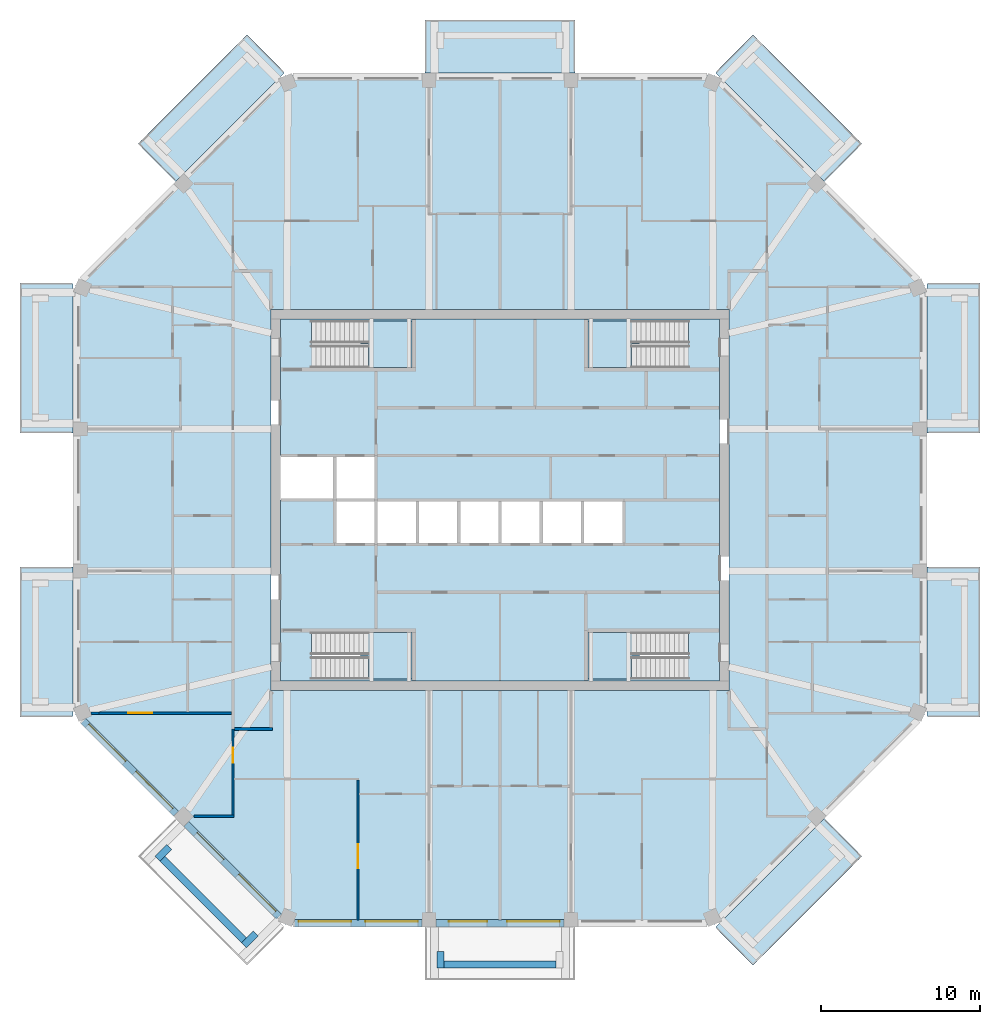
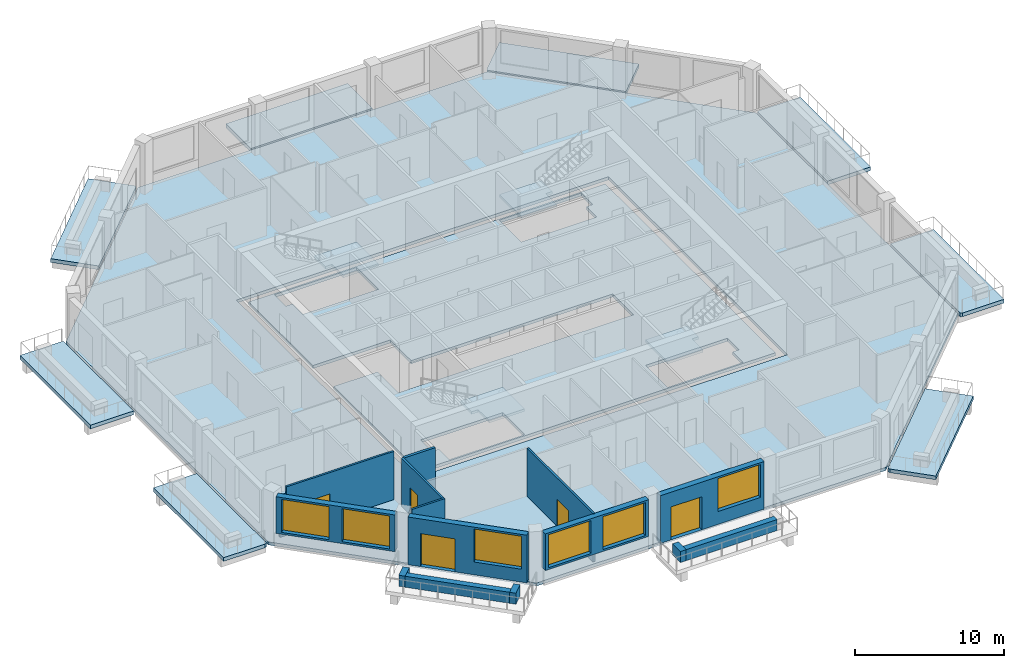
# One storey, part 2 of 12: 15 walls, 14 slabs, 6 windows, 5 doors, 11 openings, 4 elements without a shape of their own.
"""IFC4 building model written with IfcOpenShell, lengths in metres."""

from ifc_helpers import new_model, si_unit, direction, frame, frame_2d, origin, place, context, subcontext, project, spatial, polyline, rectangle, outline, extrude, material, layer, layer_set, type_object, element, fill, aggregate, save


model = new_model("IFC4")

# Units and contexts
model_context = context("Model", 3, precision=1e-05, world=origin(), true_north=direction((0.0, 1.0)))
body_context = subcontext(model_context, "Body", "Model", "MODEL_VIEW")
ifc_project = project(units=[si_unit("LENGTHUNIT", "METRE"), si_unit("AREAUNIT", "SQUARE_METRE"), si_unit("VOLUMEUNIT", "CUBIC_METRE"), si_unit("PLANEANGLEUNIT", "RADIAN"), si_unit("MASSUNIT", "GRAM", prefix="KILO")], contexts=[model_context])

# Site, building, storey
site_placement = place(None, origin())
site = spatial("IfcSite", under=ifc_project, at=site_placement, CompositionType="ELEMENT")
building_placement = place(site_placement, origin())
building = spatial("IfcBuilding", under=site, at=building_placement, Name="Msitu Wima Residences", CompositionType="ELEMENT")
storey_placement = place(building_placement, frame((0.0, 0.0, 239.10009765625)))
storey = spatial("IfcBuildingStorey", under=building, at=storey_placement, Name="L55", CompositionType="ELEMENT", Elevation=239.10009765625)

# Slabs
ifc_material_1 = material(Name="Concrete C40/50", Category="concrete")
ifc_layer_1 = layer(ifc_material_1, 0.300048828125)
ifc_layer_set_1 = layer_set([ifc_layer_1], Name="Concrete C40/50")
slab_type_1 = type_object("IfcSlabType", Name="Balcony slab BS300", PredefinedType="FLOOR", material=ifc_layer_set_1)
slab_1_placement = place(storey_placement, frame((0.0, 0.0, -0.300048828125)))
element("IfcSlab", 1, at=slab_1_placement, inside=storey, type_object=slab_type_1, Name="Balcony E0 L55", PredefinedType="FLOOR", context=body_context, shape_type="SweptSolid", body=[
    extrude(outline(polyline([(26.85009765625, -13.105224609375), (26.85009765625, -13.105224609375), (26.85009765625, -4.918701171875), (26.85009765625, -4.21875), (30.199951171875, -4.21875), (30.199951171875, -13.656005859375), (27.003662109375, -13.656005859375), (26.85009765625, -13.59228515625), (26.85009765625, -13.105224609375), (26.85009765625, -13.105224609375)])), origin(), (0.0, 0.0, 1.0), 0.300048828125),
])
slab_2_placement = place(storey_placement, frame((0.0, 0.0, -0.300048828125)))
element("IfcSlab", 2, at=slab_2_placement, inside=storey, type_object=slab_type_1, Name="Balcony E2 L55", PredefinedType="FLOOR", context=body_context, shape_type="SweptSolid", body=[
    extrude(outline(polyline([(26.85009765625, 13.105224609375), (26.85009765625, 13.105224609375), (26.85009765625, 13.105224609375), (26.85009765625, 13.59228515625), (27.003662109375, 13.656005859375), (30.199951171875, 13.656005859375), (30.199951171875, 4.21875), (26.85009765625, 4.21875), (26.85009765625, 4.918701171875), (26.85009765625, 13.105224609375)])), origin(), (0.0, 0.0, 1.0), 0.300048828125),
])
slab_3_placement = place(storey_placement, frame((0.0, 0.0, -0.300048828125)))
element("IfcSlab", 3, at=slab_3_placement, inside=storey, type_object=slab_type_1, Name="Balcony NE1 L55", PredefinedType="FLOOR", context=body_context, shape_type="SweptSolid", body=[
    extrude(outline(polyline([(13.936767578125, 26.505615234375), (13.936767578125, 26.505615234375), (13.59228515625, 26.85009765625), (13.656005859375, 27.003662109375), (15.916015625, 29.263671875), (22.766845703125, 22.4130859375), (20.39794921875, 20.04443359375), (13.936767578125, 26.505615234375), (13.936767578125, 26.505615234375)])), origin(), (0.0, 0.0, 1.0), 0.300048828125),
])
slab_4_placement = place(storey_placement, frame((0.0, 0.0, -0.300048828125)))
element("IfcSlab", 4, at=slab_4_placement, inside=storey, type_object=slab_type_1, Name="Balcony N1 L55", PredefinedType="FLOOR", context=body_context, shape_type="SweptSolid", body=[
    extrude(outline(polyline([(4.0185546875, 26.85009765625), (-4.0185546875, 26.85009765625), (-4.71875, 26.85009765625), (-4.71875, 30.199951171875), (4.71875, 30.199951171875), (4.71875, 26.85009765625), (4.0185546875, 26.85009765625)])), origin(), (0.0, 0.0, 1.0), 0.300048828125),
])
slab_5_placement = place(storey_placement, frame((0.0, 0.0, -0.300048828125)))
element("IfcSlab", 5, at=slab_5_placement, inside=storey, type_object=slab_type_1, Name="Balcony NW0 L55", PredefinedType="FLOOR", context=body_context, shape_type="SweptSolid", body=[
    extrude(outline(polyline([(-13.936767578125, 26.505615234375), (-13.936767578125, 26.505615234375), (-20.39794921875, 20.04443359375), (-22.766845703125, 22.4130859375), (-15.916015625, 29.263671875), (-13.656005859375, 27.003662109375), (-13.59228515625, 26.85009765625), (-13.936767578125, 26.505615234375), (-13.936767578125, 26.505615234375)])), origin(), (0.0, 0.0, 1.0), 0.300048828125),
])
slab_6_placement = place(storey_placement, frame((0.0, 0.0, -0.300048828125)))
element("IfcSlab", 6, at=slab_6_placement, inside=storey, type_object=slab_type_1, Name="Balcony W0 L55", PredefinedType="FLOOR", context=body_context, shape_type="SweptSolid", body=[
    extrude(outline(polyline([(-26.85009765625, 13.105224609375), (-26.85009765625, 13.105224609375), (-26.85009765625, 4.918701171875), (-26.85009765625, 4.21875), (-30.199951171875, 4.21875), (-30.199951171875, 13.656005859375), (-27.003662109375, 13.656005859375), (-26.85009765625, 13.59228515625), (-26.85009765625, 13.105224609375), (-26.85009765625, 13.105224609375)])), origin(), (0.0, 0.0, 1.0), 0.300048828125),
])
slab_7_placement = place(storey_placement, frame((0.0, 0.0, -0.300048828125)))
element("IfcSlab", 7, at=slab_7_placement, inside=storey, type_object=slab_type_1, Name="Balcony W2 L55", PredefinedType="FLOOR", context=body_context, shape_type="SweptSolid", body=[
    extrude(outline(polyline([(-26.85009765625, -13.105224609375), (-26.85009765625, -13.105224609375), (-26.85009765625, -13.105224609375), (-26.85009765625, -13.59228515625), (-27.003662109375, -13.656005859375), (-30.199951171875, -13.656005859375), (-30.199951171875, -4.21875), (-26.85009765625, -4.21875), (-26.85009765625, -4.918701171875), (-26.85009765625, -13.105224609375)])), origin(), (0.0, 0.0, 1.0), 0.300048828125),
])
slab_8_placement = place(storey_placement, frame((0.0, 0.0, -0.300048828125)))
element("IfcSlab", 8, at=slab_8_placement, inside=storey, type_object=slab_type_1, Name="Balcony SE0 L55", PredefinedType="FLOOR", context=body_context, shape_type="SweptSolid", body=[
    extrude(outline(polyline([(13.936767578125, -26.505615234375), (13.936767578125, -26.505615234375), (20.39794921875, -20.04443359375), (22.766845703125, -22.4130859375), (15.916015625, -29.263671875), (13.656005859375, -27.003662109375), (13.59228515625, -26.85009765625), (13.936767578125, -26.505615234375), (13.936767578125, -26.505615234375)])), origin(), (0.0, 0.0, 1.0), 0.300048828125),
])
ifc_layer_2 = layer(ifc_material_1, 0.25)
ifc_layer_set_2 = layer_set([ifc_layer_2], Name="Concrete C40/50")
slab_type_2 = type_object("IfcSlabType", Name="Core floor CF250", PredefinedType="FLOOR", material=ifc_layer_set_2)
slab_9_placement = place(storey_placement, frame((0.0, 0.0, -0.25)))
element("IfcSlab", 9, at=slab_9_placement, inside=storey, type_object=slab_type_2, Name="Core floor", PredefinedType="FLOOR", context=body_context, shape_type="SweptSolid", body=[
    extrude(outline(polyline([(-13.800048828125, 11.39990234375), (-13.800048828125, 2.800048828125), (-10.39990234375, 2.800048828125), (-7.800048828125, 2.800048828125), (-7.800048828125, 0.0), (-5.199951171875, 0.0), (-2.60009765625, 0.0), (0.0, 0.0), (2.60009765625, 0.0), (5.199951171875, 0.0), (7.800048828125, 0.0), (7.800048828125, -2.800048828125), (5.199951171875, -2.800048828125), (2.60009765625, -2.800048828125), (0.0, -2.800048828125), (-2.60009765625, -2.800048828125), (-5.199951171875, -2.800048828125), (-7.800048828125, -2.800048828125), (-10.39990234375, -2.800048828125), (-10.39990234375, 0.0), (-13.800048828125, 0.0), (-13.800048828125, -11.39990234375), (13.800048828125, -11.39990234375), (13.800048828125, 11.39990234375), (-13.800048828125, 11.39990234375)]), holes=[polyline([(-11.375, -11.27490234375), (-11.375, -9.875), (-11.87451171875, -9.875), (-11.87451171875, -8.324951171875), (-5.52490234375, -8.324951171875), (-5.52490234375, -11.27490234375), (-11.375, -11.27490234375)]), polyline([(-11.375, 8.324951171875), (-11.375, 9.72509765625), (-11.87451171875, 9.72509765625), (-11.87451171875, 11.27490234375), (-5.52490234375, 11.27490234375), (-5.52490234375, 8.324951171875), (-11.375, 8.324951171875)]), polyline([(11.375, -9.875), (11.375, -11.27490234375), (5.52490234375, -11.27490234375), (5.52490234375, -8.324951171875), (11.87451171875, -8.324951171875), (11.87451171875, -9.875), (11.375, -9.875)]), polyline([(11.375, 9.72509765625), (11.375, 8.324951171875), (5.52490234375, 8.324951171875), (5.52490234375, 11.27490234375), (11.87451171875, 11.27490234375), (11.87451171875, 9.72509765625), (11.375, 9.72509765625)])]), origin(), (0.0, 0.0, 1.0), 0.25),
])
ifc_layer_3 = layer(ifc_material_1, 0.25)
ifc_layer_set_3 = layer_set([ifc_layer_3], Name="Concrete C40/50")
slab_type_3 = type_object("IfcSlabType", Name="PT flat slab 250 Concrete C40/50", PredefinedType="FLOOR", material=ifc_layer_set_3)
slab_10_placement = place(storey_placement, frame((0.0, 0.0, -0.25)))
element("IfcSlab", 10, at=slab_10_placement, inside=storey, type_object=slab_type_3, Name="Floor slab L55", PredefinedType="FLOOR", context=body_context, shape_type="SweptSolid", body=[
    extrude(outline(polyline([(26.699951171875, -13.5302734375), (13.5302734375, -26.699951171875), (-13.5302734375, -26.699951171875), (-26.699951171875, -13.5302734375), (-26.699951171875, 13.5302734375), (-13.5302734375, 26.699951171875), (13.5302734375, 26.699951171875), (26.699951171875, 13.5302734375), (26.699951171875, -13.5302734375)]), holes=[polyline([(-14.39990234375, -12.0), (14.39990234375, -12.0), (14.39990234375, 12.0), (-14.39990234375, 12.0), (-14.39990234375, -12.0)])]), origin(), (0.0, 0.0, 1.0), 0.25),
])

# Stair, slab
stair_type = type_object("IfcStairType", Name="Exit stair ES1615-140", PredefinedType="HALF_TURN_STAIR", material=ifc_material_1)
stair_1_placement = place(storey_placement, origin())
stair_1 = element("IfcStair", 11, at=stair_1_placement, inside=storey, type_object=stair_type, Name="Exit stair 1", PredefinedType="HALF_TURN_STAIR")
ifc_layer_4 = layer(ifc_material_1, 0.199951171875)
ifc_layer_set_4 = layer_set([ifc_layer_4], Name="Concrete C40/50")
slab_type_4 = type_object("IfcSlabType", Name="Stair landing SL200", PredefinedType="LANDING", material=ifc_layer_set_4)
slab_11_placement = place(storey_placement, frame((0.0, 0.0, 1.89990234375)))
slab_11 = element("IfcSlab", 12, at=slab_11_placement, type_object=slab_type_4, Name="S1 landing 1", PredefinedType="LANDING", context=body_context, shape_type="SweptSolid", body=[
    extrude(outline(polyline([(-5.52490234375, 8.324951171875), (-8.275390625, 8.324951171875), (-8.275390625, 9.800048828125), (-8.77490234375, 9.800048828125), (-8.77490234375, 11.27490234375), (-5.52490234375, 11.27490234375), (-5.52490234375, 8.324951171875)])), origin(), (0.0, 0.0, 1.0), 0.199951171875),
])
aggregate(stair_1, [slab_11])

stair_2_placement = place(storey_placement, origin())
stair_2 = element("IfcStair", 13, at=stair_2_placement, inside=storey, type_object=stair_type, Name="Exit stair 2", PredefinedType="HALF_TURN_STAIR")
slab_12_placement = place(storey_placement, frame((0.0, 0.0, 1.89990234375)))
slab_12 = element("IfcSlab", 14, at=slab_12_placement, type_object=slab_type_4, Name="S2 landing 1", PredefinedType="LANDING", context=body_context, shape_type="SweptSolid", body=[
    extrude(outline(polyline([(-5.52490234375, -11.27490234375), (-8.275390625, -11.27490234375), (-8.275390625, -9.800048828125), (-8.77490234375, -9.800048828125), (-8.77490234375, -8.324951171875), (-5.52490234375, -8.324951171875), (-5.52490234375, -11.27490234375)])), origin(), (0.0, 0.0, 1.0), 0.199951171875),
])
aggregate(stair_2, [slab_12])

stair_3_placement = place(storey_placement, origin())
stair_3 = element("IfcStair", 15, at=stair_3_placement, inside=storey, type_object=stair_type, Name="Exit stair 3", PredefinedType="HALF_TURN_STAIR")
slab_13_placement = place(storey_placement, frame((0.0, 0.0, 1.89990234375)))
slab_13 = element("IfcSlab", 16, at=slab_13_placement, type_object=slab_type_4, Name="S3 landing 1", PredefinedType="LANDING", context=body_context, shape_type="SweptSolid", body=[
    extrude(outline(polyline([(5.52490234375, 8.324951171875), (8.275390625, 8.324951171875), (8.275390625, 9.800048828125), (8.77490234375, 9.800048828125), (8.77490234375, 11.27490234375), (5.52490234375, 11.27490234375), (5.52490234375, 8.324951171875)])), origin(), (0.0, 0.0, 1.0), 0.199951171875),
])
aggregate(stair_3, [slab_13])

stair_4_placement = place(storey_placement, origin())
stair_4 = element("IfcStair", 17, at=stair_4_placement, inside=storey, type_object=stair_type, Name="Exit stair 4", PredefinedType="HALF_TURN_STAIR")
slab_14_placement = place(storey_placement, frame((0.0, 0.0, 1.89990234375)))
slab_14 = element("IfcSlab", 18, at=slab_14_placement, type_object=slab_type_4, Name="S4 landing 1", PredefinedType="LANDING", context=body_context, shape_type="SweptSolid", body=[
    extrude(outline(polyline([(5.52490234375, -11.27490234375), (8.275390625, -11.27490234375), (8.275390625, -9.800048828125), (8.77490234375, -9.800048828125), (8.77490234375, -8.324951171875), (5.52490234375, -8.324951171875), (5.52490234375, -11.27490234375)])), origin(), (0.0, 0.0, 1.0), 0.199951171875),
])
aggregate(stair_4, [slab_14])

# Walls
ifc_material_2 = material(Name="Facing brick")
ifc_layer_5 = layer(ifc_material_2, 0.06494140625, Name="Facing brick")
ifc_layer_6 = layer(ifc_material_1, 0.156005859375, Name="Concrete C40/50")
ifc_material_3 = material(Name="Waterproofing membrane")
ifc_layer_7 = layer(ifc_material_3, 0.00390625, Name="Waterproofing membrane")
ifc_material_4 = material(Name="Planting soil and planting")
ifc_layer_8 = layer(ifc_material_4, 0.22509765625, Name="Planting soil and planting")
ifc_layer_set_5 = layer_set([ifc_layer_5, ifc_layer_6, ifc_layer_7, ifc_layer_8], Name="Concrete C40/50")
wall_type_1 = type_object("IfcWallType", Name="Balcony planter PLANTER PL450", PredefinedType="USERDEFINED", material=ifc_layer_set_5)
wall_1_placement = place(storey_placement, frame((-21.228759765625, -22.572265625, 0.0), z_axis=(0.0, 0.0, 1.0), x_axis=(0.707106781187, -0.707106781187, 0.0)))
element("IfcWall", 19, at=wall_1_placement, inside=storey, type_object=wall_type_1, Name="Balcony planter SW1 L55", ObjectType="PLANTER", PredefinedType="USERDEFINED", context=body_context, shape_type="SweptSolid", body=[
    extrude(rectangle(XDim=7.23828125, YDim=0.449951171875, at=frame_2d((3.619140625, 0.0))), origin(), (0.0, 0.0, 1.0), 0.89990234375),
])
for number, where, z_axis, x_axis, name in (
    (20, (-20.804443359375, -21.829833984375, 0.0), (0.0, 0.0, 1.0), (-0.707106781187, -0.707106781187, 0.0), "Balcony planter SW1 L55"),
    (21, (-15.3681640625, -27.26611328125, 0.0), (0.0, 0.0, 1.0), (-0.706990528533, -0.707223014731, 0.0), "Balcony planter SW1 L55"),
):
    element("IfcWall", number, at=place(storey_placement, frame(where, z_axis=z_axis, x_axis=x_axis)), inside=storey, type_object=wall_type_1, Name=name, ObjectType="PLANTER", PredefinedType="USERDEFINED", context=body_context, shape_type="SweptSolid", body=[
        extrude(rectangle(XDim=1.050048828125, YDim=0.449951171875, at=frame_2d((0.52490234375, 0.0))), origin(), (0.0, 0.0, 1.0), 0.89990234375),
    ])
wall_2_placement = place(storey_placement, frame((-3.5185546875, -29.22509765625, 0.0), z_axis=(0.0, 0.0, 1.0), x_axis=(1.0, 0.0, 0.0)))
element("IfcWall", 22, at=wall_2_placement, inside=storey, type_object=wall_type_1, Name="Balcony planter S1 L55", ObjectType="PLANTER", PredefinedType="USERDEFINED", context=body_context, shape_type="SweptSolid", body=[
    extrude(rectangle(XDim=7.037109375, YDim=0.449951171875, at=frame_2d((3.5185546875, 0.0))), origin(), (0.0, 0.0, 1.0), 0.89990234375),
])
wall_3_placement = place(storey_placement, frame((-3.74365234375, -28.39990234375, 0.0), z_axis=(0.0, 0.0, 1.0), x_axis=(0.0, -1.0, 0.0)))
element("IfcWall", 23, at=wall_3_placement, inside=storey, type_object=wall_type_1, Name="Balcony planter S1 L55", ObjectType="PLANTER", PredefinedType="USERDEFINED", context=body_context, shape_type="SweptSolid", body=[
    extrude(rectangle(XDim=1.050048828125, YDim=0.449951171875, at=frame_2d((0.52490234375, 0.0))), origin(), (0.0, 0.0, 1.0), 0.89990234375),
])

# Wall, openings, windows
ifc_material_5 = material(Name="Brick (red buff mix)", Category="masonry")
ifc_layer_9 = layer(ifc_material_5, 0.449951171875)
ifc_layer_set_6 = layer_set([ifc_layer_9], Name="Brick (red buff mix)")
wall_type_2 = type_object("IfcWallType", Name="Brick infill wall BW450", PredefinedType="SOLIDWALL", material=ifc_layer_set_6)
wall_4_placement = place(storey_placement, frame((-26.214599609375, -13.909423828125, 0.89990234375), z_axis=(0.0, 0.0, 1.0), x_axis=(0.707106781187, -0.707106781187, 0.0)))
wall_4 = element("IfcWall", 24, at=wall_4_placement, inside=storey, type_object=wall_type_2, Name="Brick infill wall L55 SW0", PredefinedType="SOLIDWALL", context=body_context, shape_type="SweptSolid", body=[
    extrude(rectangle(XDim=8.251220703125, YDim=0.449951171875, at=frame_2d((4.12548828125, 0.0))), origin(), (0.0, 0.0, 1.0), 3.0),
])
opening_1_placement = place(wall_4_placement, frame((0.37548828125, 0.0, 0.14990234375)))
opening_1 = element("IfcOpeningElement", 25, at=opening_1_placement, cuts=wall_4, Name="Opening W55-56.024", PredefinedType="OPENING", context=body_context, shape_type="SweptSolid", body=[
    extrude(rectangle(XDim=3.300048828125, YDim=2.699951171875, at=frame_2d((1.64990234375, 1.35009765625))), frame((0.0, 0.23486328125, 0.0), z_axis=(0.0, -1.0, 0.0), x_axis=(1.0, 0.0, 0.0)), (0.0, 0.0, 1.0), 0.469970703125),
])
opening_2_placement = place(wall_4_placement, frame((4.57568359375, 0.0, 0.14990234375)))
opening_2 = element("IfcOpeningElement", 26, at=opening_2_placement, cuts=wall_4, Name="Opening W55-56.025", PredefinedType="OPENING", context=body_context, shape_type="SweptSolid", body=[
    extrude(rectangle(XDim=3.300048828125, YDim=2.699951171875, at=frame_2d((1.64990234375, 1.35009765625))), frame((0.0, 0.23486328125, 0.0), z_axis=(0.0, -1.0, 0.0), x_axis=(1.0, 0.0, 0.0)), (0.0, 0.0, 1.0), 0.469970703125),
])
ifc_material_6 = material(Name="Anodised aluminium, bronze finish, clear low-emissivity double glazing", Category="aluminium")
window_type = type_object("IfcWindowType", Name="Window W3300x2700", PartitioningType="DOUBLE_PANEL_VERTICAL", PredefinedType="WINDOW", material=ifc_material_6)
window_1_placement = place(opening_1_placement, origin())
window_1 = element("IfcWindow", 27, at=window_1_placement, inside=storey, type_object=window_type, Name="Window L55 SW0.1", OverallHeight=2.699951171875, OverallWidth=3.300048828125, PartitioningType="SINGLE_PANEL", PredefinedType="WINDOW", context=body_context, shape_type="SweptSolid", body=[
    extrude(rectangle(XDim=3.300048828125, YDim=2.699951171875, at=frame_2d((1.64990234375, 1.35009765625))), frame((0.0, 0.135009765625, 0.0), z_axis=(0.0, -1.0, 0.0), x_axis=(1.0, 0.0, 0.0)), (0.0, 0.0, 1.0), 0.06005859375),
])
fill(opening_1, window_1)
window_2_placement = place(opening_2_placement, origin())
window_2 = element("IfcWindow", 28, at=window_2_placement, inside=storey, type_object=window_type, Name="Window L55 SW0.2", OverallHeight=2.699951171875, OverallWidth=3.300048828125, PartitioningType="SINGLE_PANEL", PredefinedType="WINDOW", context=body_context, shape_type="SweptSolid", body=[
    extrude(rectangle(XDim=3.300048828125, YDim=2.699951171875, at=frame_2d((1.64990234375, 1.35009765625))), frame((0.0, 0.135009765625, 0.0), z_axis=(0.0, -1.0, 0.0), x_axis=(1.0, 0.0, 0.0)), (0.0, 0.0, 1.0), 0.06005859375),
])
fill(opening_2, window_2)

# Wall, openings, door, window
wall_5_placement = place(storey_placement, frame((-19.743896484375, -20.380126953125, 0.0), z_axis=(0.0, 0.0, 1.0), x_axis=(0.707106781187, -0.707106781187, 0.0)))
wall_5 = element("IfcWall", 29, at=wall_5_placement, inside=storey, type_object=wall_type_2, Name="Brick infill wall L55 SW1", PredefinedType="SOLIDWALL", context=body_context, shape_type="SweptSolid", body=[
    extrude(rectangle(XDim=8.251220703125, YDim=0.449951171875, at=frame_2d((4.12548828125, 0.0))), origin(), (0.0, 0.0, 1.0), 3.89990234375),
])
opening_3_placement = place(wall_5_placement, frame((0.86279296875, 0.0, 0.0)))
opening_3 = element("IfcOpeningElement", 30, at=opening_3_placement, cuts=wall_5, Name="Opening D55-56.008", PredefinedType="OPENING", context=body_context, shape_type="SweptSolid", body=[
    extrude(rectangle(XDim=2.39990234375, YDim=2.699951171875, at=frame_2d((1.199951171875, 1.35009765625))), frame((0.0, 0.23486328125, 0.0), z_axis=(0.0, -1.0, 0.0), x_axis=(1.0, 0.0, 0.0)), (0.0, 0.0, 1.0), 0.469970703125),
])
opening_4_placement = place(wall_5_placement, frame((4.57568359375, 0.0, 1.050048828125)))
opening_4 = element("IfcOpeningElement", 31, at=opening_4_placement, cuts=wall_5, Name="Opening W55-56.026", PredefinedType="OPENING", context=body_context, shape_type="SweptSolid", body=[
    extrude(rectangle(XDim=3.300048828125, YDim=2.699951171875, at=frame_2d((1.64990234375, 1.35009765625))), frame((0.0, 0.23486328125, 0.0), z_axis=(0.0, -1.0, 0.0), x_axis=(1.0, 0.0, 0.0)), (0.0, 0.0, 1.0), 0.469970703125),
])
door_type_1 = type_object("IfcDoorType", Name="Balcony door D2400x2700", OperationType="SLIDING_TO_LEFT", PredefinedType="DOOR", material=ifc_material_6)
door_1_placement = place(opening_3_placement, origin())
door_1 = element("IfcDoor", 32, at=door_1_placement, inside=storey, type_object=door_type_1, Name="Balcony door L55 SW1", OperationType="SINGLE_SWING_LEFT", OverallHeight=2.699951171875, OverallWidth=2.39990234375, PredefinedType="DOOR", context=body_context, shape_type="SweptSolid", body=[
    extrude(rectangle(XDim=2.39990234375, YDim=2.699951171875, at=frame_2d((1.199951171875, 1.35009765625))), frame((0.0, 0.1298828125, 0.0), z_axis=(0.0, -1.0, 0.0), x_axis=(1.0, 0.0, 0.0)), (0.0, 0.0, 1.0), 0.050048828125),
])
fill(opening_3, door_1)
window_3_placement = place(opening_4_placement, origin())
window_3 = element("IfcWindow", 33, at=window_3_placement, inside=storey, type_object=window_type, Name="Window L55 SW1.2", OverallHeight=2.699951171875, OverallWidth=3.300048828125, PartitioningType="SINGLE_PANEL", PredefinedType="WINDOW", context=body_context, shape_type="SweptSolid", body=[
    extrude(rectangle(XDim=3.300048828125, YDim=2.699951171875, at=frame_2d((1.64990234375, 1.35009765625))), frame((0.0, 0.135009765625, 0.0), z_axis=(0.0, -1.0, 0.0), x_axis=(1.0, 0.0, 0.0)), (0.0, 0.0, 1.0), 0.06005859375),
])
fill(opening_4, window_3)

# Wall, openings, windows
wall_6_placement = place(storey_placement, frame((-12.918701171875, -26.625, 0.89990234375), z_axis=(0.0, 0.0, 1.0), x_axis=(1.0, 0.0, 0.0)))
wall_6 = element("IfcWall", 34, at=wall_6_placement, inside=storey, type_object=wall_type_2, Name="Brick infill wall L55 S0", PredefinedType="SOLIDWALL", context=body_context, shape_type="SweptSolid", body=[
    extrude(rectangle(XDim=8.0, YDim=0.449951171875, at=frame_2d((4.0, 0.0))), origin(), (0.0, 0.0, 1.0), 3.0),
])
opening_5_placement = place(wall_6_placement, frame((0.25, 0.0, 0.14990234375)))
opening_5 = element("IfcOpeningElement", 35, at=opening_5_placement, cuts=wall_6, Name="Opening W55-56.016", PredefinedType="OPENING", context=body_context, shape_type="SweptSolid", body=[
    extrude(rectangle(XDim=3.300048828125, YDim=2.699951171875, at=frame_2d((1.64990234375, 1.35009765625))), frame((0.0, 0.23486328125, 0.0), z_axis=(0.0, -1.0, 0.0), x_axis=(1.0, 0.0, 0.0)), (0.0, 0.0, 1.0), 0.469970703125),
])
opening_6_placement = place(wall_6_placement, frame((4.4501953125, 0.0, 0.14990234375)))
opening_6 = element("IfcOpeningElement", 36, at=opening_6_placement, cuts=wall_6, Name="Opening W55-56.017", PredefinedType="OPENING", context=body_context, shape_type="SweptSolid", body=[
    extrude(rectangle(XDim=3.300048828125, YDim=2.699951171875, at=frame_2d((1.64990234375, 1.35009765625))), frame((0.0, 0.23486328125, 0.0), z_axis=(0.0, -1.0, 0.0), x_axis=(1.0, 0.0, 0.0)), (0.0, 0.0, 1.0), 0.469970703125),
])
window_4_placement = place(opening_5_placement, origin())
window_4 = element("IfcWindow", 37, at=window_4_placement, inside=storey, type_object=window_type, Name="Window L55 S0.1", OverallHeight=2.699951171875, OverallWidth=3.300048828125, PartitioningType="SINGLE_PANEL", PredefinedType="WINDOW", context=body_context, shape_type="SweptSolid", body=[
    extrude(rectangle(XDim=3.300048828125, YDim=2.699951171875, at=frame_2d((1.64990234375, 1.35009765625))), frame((0.0, 0.135009765625, 0.0), z_axis=(0.0, -1.0, 0.0), x_axis=(1.0, 0.0, 0.0)), (0.0, 0.0, 1.0), 0.06005859375),
])
fill(opening_5, window_4)
window_5_placement = place(opening_6_placement, origin())
window_5 = element("IfcWindow", 38, at=window_5_placement, inside=storey, type_object=window_type, Name="Window L55 S0.2", OverallHeight=2.699951171875, OverallWidth=3.300048828125, PartitioningType="SINGLE_PANEL", PredefinedType="WINDOW", context=body_context, shape_type="SweptSolid", body=[
    extrude(rectangle(XDim=3.300048828125, YDim=2.699951171875, at=frame_2d((1.64990234375, 1.35009765625))), frame((0.0, 0.135009765625, 0.0), z_axis=(0.0, -1.0, 0.0), x_axis=(1.0, 0.0, 0.0)), (0.0, 0.0, 1.0), 0.06005859375),
])
fill(opening_6, window_5)

# Wall, openings, door, window
wall_7_placement = place(storey_placement, frame((-4.0185546875, -26.625, 0.0), z_axis=(0.0, 0.0, 1.0), x_axis=(1.0, 0.0, 0.0)))
wall_7 = element("IfcWall", 39, at=wall_7_placement, inside=storey, type_object=wall_type_2, Name="Brick infill wall L55 S1", PredefinedType="SOLIDWALL", context=body_context, shape_type="SweptSolid", body=[
    extrude(rectangle(XDim=8.037109375, YDim=0.449951171875, at=frame_2d((4.0185546875, 0.0))), origin(), (0.0, 0.0, 1.0), 3.89990234375),
])
opening_7_placement = place(wall_7_placement, frame((0.809326171875, 0.0, 0.0)))
opening_7 = element("IfcOpeningElement", 40, at=opening_7_placement, cuts=wall_7, Name="Opening D55-56.006", PredefinedType="OPENING", context=body_context, shape_type="SweptSolid", body=[
    extrude(rectangle(XDim=2.39990234375, YDim=2.699951171875, at=frame_2d((1.199951171875, 1.35009765625))), frame((0.0, 0.23486328125, 0.0), z_axis=(0.0, -1.0, 0.0), x_axis=(1.0, 0.0, 0.0)), (0.0, 0.0, 1.0), 0.469970703125),
])
opening_8_placement = place(wall_7_placement, frame((4.46875, 0.0, 1.050048828125)))
opening_8 = element("IfcOpeningElement", 41, at=opening_8_placement, cuts=wall_7, Name="Opening W55-56.018", PredefinedType="OPENING", context=body_context, shape_type="SweptSolid", body=[
    extrude(rectangle(XDim=3.300048828125, YDim=2.699951171875, at=frame_2d((1.64990234375, 1.35009765625))), frame((0.0, 0.23486328125, 0.0), z_axis=(0.0, -1.0, 0.0), x_axis=(1.0, 0.0, 0.0)), (0.0, 0.0, 1.0), 0.469970703125),
])
door_2_placement = place(opening_7_placement, origin())
door_2 = element("IfcDoor", 42, at=door_2_placement, inside=storey, type_object=door_type_1, Name="Balcony door L55 S1", OperationType="SINGLE_SWING_LEFT", OverallHeight=2.699951171875, OverallWidth=2.39990234375, PredefinedType="DOOR", context=body_context, shape_type="SweptSolid", body=[
    extrude(rectangle(XDim=2.39990234375, YDim=2.699951171875, at=frame_2d((1.199951171875, 1.35009765625))), frame((0.0, 0.1298828125, 0.0), z_axis=(0.0, -1.0, 0.0), x_axis=(1.0, 0.0, 0.0)), (0.0, 0.0, 1.0), 0.050048828125),
])
fill(opening_7, door_2)
window_6_placement = place(opening_8_placement, origin())
window_6 = element("IfcWindow", 43, at=window_6_placement, inside=storey, type_object=window_type, Name="Window L55 S1.2", OverallHeight=2.699951171875, OverallWidth=3.300048828125, PartitioningType="SINGLE_PANEL", PredefinedType="WINDOW", context=body_context, shape_type="SweptSolid", body=[
    extrude(rectangle(XDim=3.300048828125, YDim=2.699951171875, at=frame_2d((1.64990234375, 1.35009765625))), frame((0.0, 0.135009765625, 0.0), z_axis=(0.0, -1.0, 0.0), x_axis=(1.0, 0.0, 0.0)), (0.0, 0.0, 1.0), 0.06005859375),
])
fill(opening_8, window_6)

# Walls
ifc_material_7 = material(Name="Plaster")
ifc_layer_10 = layer(ifc_material_7, 0.011962890625, Name="Plaster")
ifc_material_8 = material(Name="Concrete blockwork", Category="masonry")
ifc_layer_11 = layer(ifc_material_8, 0.176025390625, Name="Concrete blockwork")
ifc_layer_12 = layer(ifc_material_7, 0.011962890625, Name="Plaster")
ifc_layer_set_7 = layer_set([ifc_layer_10, ifc_layer_11, ifc_layer_12], Name="Concrete blockwork")
wall_type_3 = type_object("IfcWallType", Name="Corridor wall FW200", PredefinedType="PARTITIONING", material=ifc_layer_set_7)
wall_8_placement = place(storey_placement, frame((-16.699951171875, -14.39990234375, 0.0), z_axis=(0.0, 0.0, 1.0), x_axis=(1.0, 0.0, 0.0)))
element("IfcWall", 44, at=wall_8_placement, inside=storey, type_object=wall_type_3, Name="Corridor wall", PredefinedType="PARTITIONING", context=body_context, shape_type="SweptSolid", body=[
    extrude(rectangle(XDim=2.39990234375, YDim=0.199951171875, at=frame_2d((1.199951171875, 0.0))), origin(), (0.0, 0.0, 1.0), 3.949951171875),
])
ifc_layer_13 = layer(ifc_material_7, 0.011962890625, Name="Plaster")
ifc_layer_14 = layer(ifc_material_8, 0.1259765625, Name="Concrete blockwork")
ifc_layer_15 = layer(ifc_material_7, 0.011962890625, Name="Plaster")
ifc_layer_set_8 = layer_set([ifc_layer_13, ifc_layer_14, ifc_layer_15], Name="Concrete blockwork")
wall_type_4 = type_object("IfcWallType", Name="Partition PW150", PredefinedType="PARTITIONING", material=ifc_layer_set_8)
wall_9_placement = place(storey_placement, frame((-25.731201171875, -13.406005859375, 0.0), z_axis=(0.0, 0.0, 1.0), x_axis=(1.0, 0.0, 0.0)))
element("IfcWall", 45, at=wall_9_placement, inside=storey, type_object=wall_type_4, Name="Partition", PredefinedType="PARTITIONING", context=body_context, shape_type="SweptSolid", body=[
    extrude(rectangle(XDim=0.507080078125, YDim=0.14990234375, at=frame_2d((0.25341796875, 0.0))), origin(), (0.0, 0.0, 1.0), 3.349853515625),
])

# Wall, opening, door
wall_10_placement = place(storey_placement, frame((-25.22412109375, -13.406005859375, 0.0), z_axis=(0.0, 0.0, 1.0), x_axis=(1.0, 0.0, 0.0)))
wall_10 = element("IfcWall", 46, at=wall_10_placement, inside=storey, type_object=wall_type_4, Name="Partition", PredefinedType="PARTITIONING", context=body_context, shape_type="SweptSolid", body=[
    extrude(rectangle(XDim=8.32421875, YDim=0.14990234375, at=frame_2d((4.162109375, 0.0))), origin(), (0.0, 0.0, 1.0), 3.949951171875),
])
opening_9_placement = place(wall_10_placement, frame((1.8427734375, 0.0, 0.0)))
opening_9 = element("IfcOpeningElement", 47, at=opening_9_placement, cuts=wall_10, Name="Opening D55-56.043", PredefinedType="OPENING", context=body_context, shape_type="SweptSolid", body=[
    extrude(rectangle(XDim=1.5, YDim=2.199951171875, at=frame_2d((0.75, 1.10009765625))), frame((0.0, 0.0849609375, 0.0), z_axis=(0.0, -1.0, 0.0), x_axis=(1.0, 0.0, 0.0)), (0.0, 0.0, 1.0), 0.169921875),
])
ifc_material_9 = material(Name="Timber double door", Category="wood")
door_type_2 = type_object("IfcDoorType", Name="Double door D04 1500x2200", OperationType="DOUBLE_DOOR_SINGLE_SWING", PredefinedType="DOOR", material=ifc_material_9)
door_3_placement = place(opening_9_placement, origin())
door_3 = element("IfcDoor", 48, at=door_3_placement, inside=storey, type_object=door_type_2, Name="Double door", OperationType="DOUBLE_DOOR_SINGLE_SWING", OverallHeight=2.199951171875, OverallWidth=1.5, PredefinedType="DOOR", context=body_context, shape_type="SweptSolid", body=[
    extrude(rectangle(XDim=1.5, YDim=2.199951171875, at=frame_2d((0.75, 1.10009765625))), frame((0.0, 0.02490234375, 0.0), z_axis=(0.0, -1.0, 0.0), x_axis=(1.0, 0.0, 0.0)), (0.0, 0.0, 1.0), 0.050048828125),
])
fill(opening_9, door_3)

# Wall
wall_11_placement = place(storey_placement, frame((-19.2666015625, -19.90283203125, 0.0), z_axis=(0.0, 0.0, 1.0), x_axis=(1.0, 0.0, 0.0)))
element("IfcWall", 49, at=wall_11_placement, inside=storey, type_object=wall_type_4, Name="Partition", PredefinedType="PARTITIONING", context=body_context, shape_type="SweptSolid", body=[
    extrude(rectangle(XDim=2.54150390625, YDim=0.14990234375, at=frame_2d((1.270751953125, 0.0))), origin(), (0.0, 0.0, 1.0), 3.949951171875),
])

# Wall, opening, door
wall_12_placement = place(storey_placement, frame((-16.800048828125, -19.827880859375, 0.0), z_axis=(0.0, 0.0, 1.0), x_axis=(0.0, 1.0, 0.0)))
wall_12 = element("IfcWall", 50, at=wall_12_placement, inside=storey, type_object=wall_type_4, Name="Partition", PredefinedType="PARTITIONING", context=body_context, shape_type="SweptSolid", body=[
    extrude(rectangle(XDim=5.427978515625, YDim=0.14990234375, at=frame_2d((2.7138671875, 0.0))), origin(), (0.0, 0.0, 1.0), 3.949951171875),
])
opening_10_placement = place(wall_12_placement, frame((3.300048828125, 0.0, 0.0)))
opening_10 = element("IfcOpeningElement", 51, at=opening_10_placement, cuts=wall_12, Name="Opening D55-56.044", PredefinedType="OPENING", context=body_context, shape_type="SweptSolid", body=[
    extrude(rectangle(XDim=0.949951171875, YDim=2.199951171875, at=frame_2d((0.47509765625, 1.10009765625))), frame((0.0, 0.0849609375, 0.0), z_axis=(0.0, -1.0, 0.0), x_axis=(1.0, 0.0, 0.0)), (0.0, 0.0, 1.0), 0.169921875),
])
ifc_material_10 = material(Name="Timber flush door", Category="wood")
door_type_3 = type_object("IfcDoorType", Name="Room door D12 950x2200", OperationType="SINGLE_SWING_LEFT", PredefinedType="DOOR", material=ifc_material_10)
door_4_placement = place(opening_10_placement, origin())
door_4 = element("IfcDoor", 52, at=door_4_placement, inside=storey, type_object=door_type_3, Name="Room door", OperationType="SINGLE_SWING_RIGHT", OverallHeight=2.199951171875, OverallWidth=0.949951171875, PredefinedType="DOOR", context=body_context, shape_type="SweptSolid", body=[
    extrude(rectangle(XDim=0.949951171875, YDim=2.199951171875, at=frame_2d((0.47509765625, 1.10009765625))), frame((0.0, 0.02490234375, 0.0), z_axis=(0.0, -1.0, 0.0), x_axis=(1.0, 0.0, 0.0)), (0.0, 0.0, 1.0), 0.050048828125),
])
fill(opening_10, door_4)

wall_13_placement = place(storey_placement, frame((-8.937255859375, -26.455078125, 0.0), z_axis=(0.0, 0.0, 1.0), x_axis=(0.0, 1.0, 0.0)))
wall_13 = element("IfcWall", 53, at=wall_13_placement, inside=storey, type_object=wall_type_4, Name="Partition", PredefinedType="PARTITIONING", context=body_context, shape_type="SweptSolid", body=[
    extrude(rectangle(XDim=8.830078125, YDim=0.14990234375, at=frame_2d((4.4150390625, 0.0))), origin(), (0.0, 0.0, 1.0), 3.949951171875),
])
opening_11_placement = place(wall_13_placement, frame((3.300048828125, 0.0, 0.0)))
opening_11 = element("IfcOpeningElement", 54, at=opening_11_placement, cuts=wall_13, Name="Opening D55-56.046", PredefinedType="OPENING", context=body_context, shape_type="SweptSolid", body=[
    extrude(rectangle(XDim=1.5, YDim=2.199951171875, at=frame_2d((0.75, 1.10009765625))), frame((0.0, 0.0849609375, 0.0), z_axis=(0.0, -1.0, 0.0), x_axis=(1.0, 0.0, 0.0)), (0.0, 0.0, 1.0), 0.169921875),
])
door_5_placement = place(opening_11_placement, origin())
door_5 = element("IfcDoor", 55, at=door_5_placement, inside=storey, type_object=door_type_2, Name="Double door", OperationType="DOUBLE_DOOR_SINGLE_SWING", OverallHeight=2.199951171875, OverallWidth=1.5, PredefinedType="DOOR", context=body_context, shape_type="SweptSolid", body=[
    extrude(rectangle(XDim=1.5, YDim=2.199951171875, at=frame_2d((0.75, 1.10009765625))), frame((0.0, 0.02490234375, 0.0), z_axis=(0.0, -1.0, 0.0), x_axis=(1.0, 0.0, 0.0)), (0.0, 0.0, 1.0), 0.050048828125),
])
fill(opening_11, door_5)

save(model, "model.ifc")
